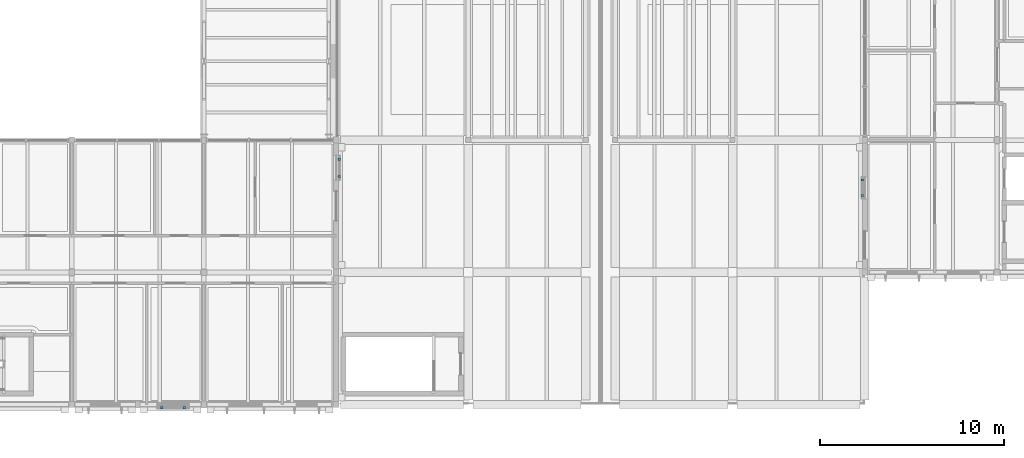
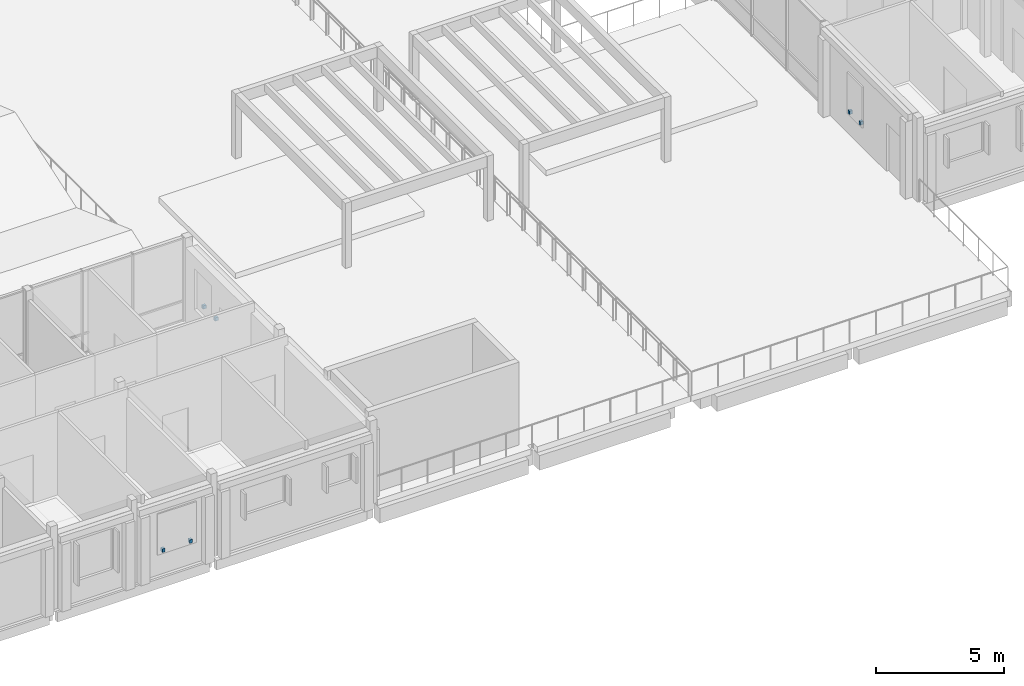
# One storey, part 100 of 115: 6 discrete accessories.
"""IFC4 building model written with IfcOpenShell, lengths in metres."""

from ifc_helpers import new_model, si_unit, direction, frame, origin, origin_2d, place, context, subcontext, project, spatial, rectangle, extrude, material, type_object, element, save


model = new_model("IFC4")

# Units and contexts
model_context = context("Model", 3, precision=1e-05, world=origin(), true_north=direction((0.0, 1.0)))
body_context = subcontext(model_context, "Body", "Model", "MODEL_VIEW")
ifc_project = project(units=[si_unit("LENGTHUNIT", "METRE"), si_unit("AREAUNIT", "SQUARE_METRE"), si_unit("VOLUMEUNIT", "CUBIC_METRE"), si_unit("PLANEANGLEUNIT", "RADIAN"), si_unit("MASSUNIT", "GRAM", prefix="KILO")], contexts=[model_context])

# Site, building, storey
site_placement = place(None, origin())
site = spatial("IfcSite", under=ifc_project, at=site_placement, CompositionType="ELEMENT")
building_placement = place(site_placement, origin())
building = spatial("IfcBuilding", under=site, at=building_placement, Name="Hawrajan Terrace Health Centre", CompositionType="ELEMENT")
storey_placement = place(building_placement, frame((0.0, 0.0, 9.0)))
storey = spatial("IfcBuildingStorey", under=building, at=storey_placement, Name="L02", CompositionType="ELEMENT", Elevation=9.0)

# Discrete accessories
ifc_material = material(Name="Steel S355", Category="steel")
discrete_accessory_type = type_object("IfcDiscreteAccessoryType", Name="FacadeBracket_S355", PredefinedType="BRACKET", material=ifc_material)
for number, where, z_axis, x_axis, name in (
    (1, (105.498779296875, 4.034912109375, 1.06982421875), (0.0, 0.0, 1.0), (1.0, 0.0, 0.0), "Roshan support bracket BRK-L02-185-1"),
    (2, (106.730712890625, 4.034912109375, 1.06982421875), (0.0, 0.0, 1.0), (1.0, 0.0, 0.0), "Roshan support bracket BRK-L02-185-2"),
    (3, (115.1650390625, 16.6259765625, 1.06982421875), (0.0, 0.0, 1.0), (0.0, 1.0, 0.0), "Roshan support bracket BRK-L02-190-1"),
    (4, (115.1650390625, 17.56396484375, 1.06982421875), (0.0, 0.0, 1.0), (0.0, 1.0, 0.0), "Roshan support bracket BRK-L02-190-2"),
    (5, (143.655029296875, 15.5849609375, 1.06982421875), (0.0, 0.0, 1.0), (0.0, 1.0, 0.0), "Roshan support bracket BRK-L02-195-1"),
    (6, (143.655029296875, 16.425048828125, 1.06982421875), (0.0, 0.0, 1.0), (0.0, 1.0, 0.0), "Roshan support bracket BRK-L02-195-2"),
):
    element("IfcDiscreteAccessory", number, at=place(storey_placement, frame(where, z_axis=z_axis, x_axis=x_axis)), inside=storey, type_object=discrete_accessory_type, Name=name, PredefinedType="BRACKET", context=body_context, shape_type="SweptSolid", body=[
        extrude(rectangle(XDim=0.1201171875, YDim=0.139892578125, at=origin_2d()), origin(), (0.0, 0.0, 1.0), 0.159912109375),
    ])

save(model, "model.ifc")
